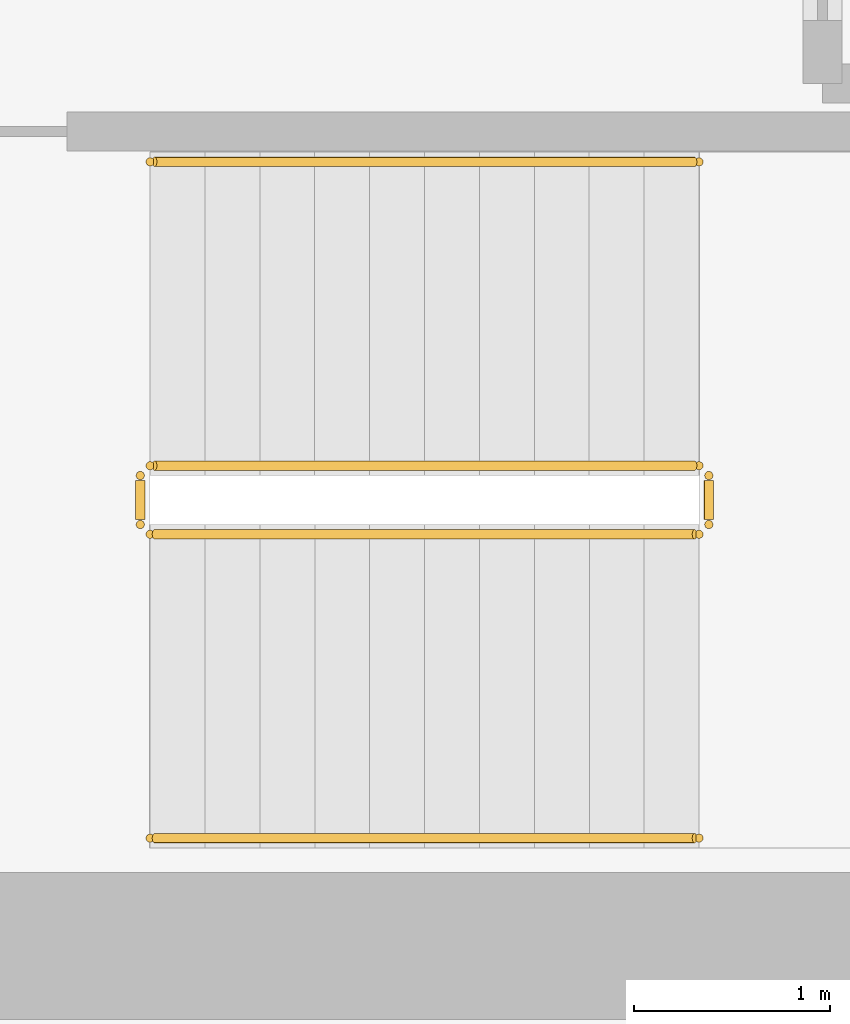
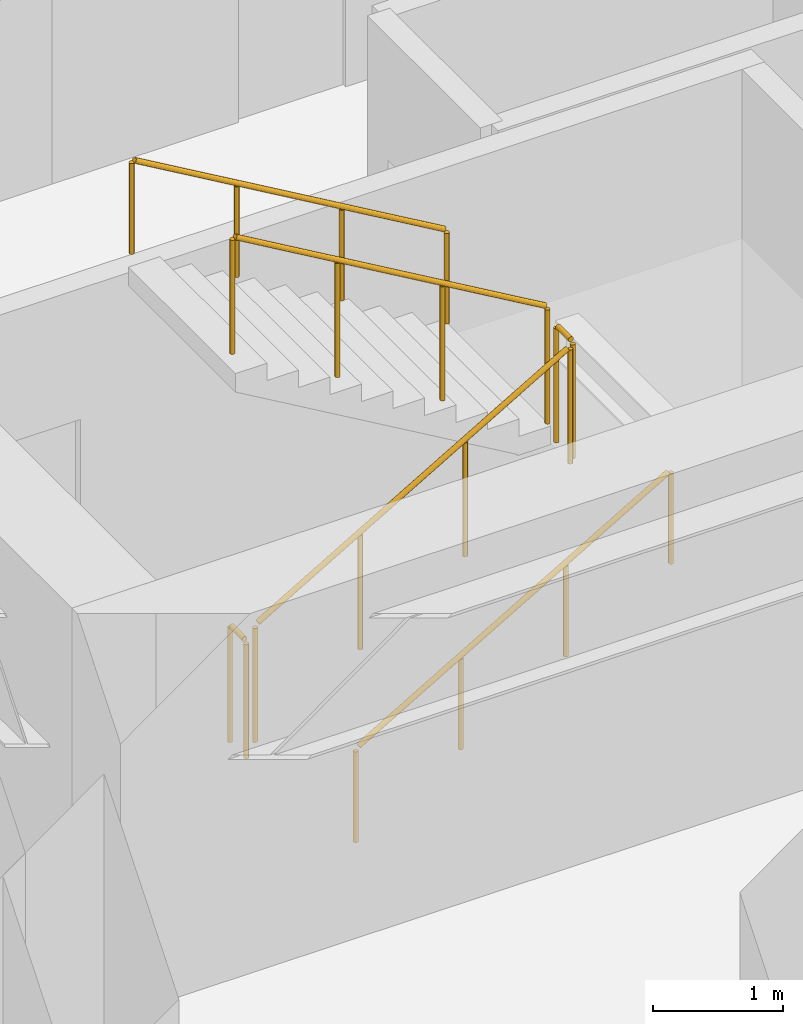
# One storey, part 13 of 13: 6 railings.
"""IFC4 building model written with IfcOpenShell, lengths in metres."""

import ifcopenshell
import ifcopenshell.guid

model = None  # the IFC model being written
_history = None  # IfcOwnerHistory: only IFC2X3 demands one
_inside = {}  # id of a spatial element -> (the spatial element, [elements in it])
_under = {}  # id of a project, library or spatial element -> (it, [spatial elements below it])
_declared = {}  # id of a project -> (the project, [libraries it declares])
_typed = {}  # id of a type object -> (the type object, [elements of that type])
_made_of = {}  # id of a material, layer set ... -> (it, [elements and type objects made of it])


def new_model(schema):
    """Start an empty IFC model of exactly this schema.

    Asked for "IFC4X3", IfcOpenShell would pick the latest addendum, in which some entities
    have other attributes; the version numbers below select the first issue.
    IFC2X3 requires an IfcOwnerHistory on every rooted entity: one is made here for all.
    """
    global model, _history
    if schema == "IFC4X3":
        model = ifcopenshell.file(schema_version=(4, 3, 0, 0))
    else:
        model = ifcopenshell.file(schema=schema)
    _inside.clear()
    _under.clear()
    _declared.clear()
    _typed.clear()
    _made_of.clear()
    _history = None
    if model.schema == "IFC2X3":
        org = make("IfcOrganization", Name="unknown")
        user = make(
            "IfcPersonAndOrganization",
            ThePerson=make("IfcPerson", FamilyName="unknown"),
            TheOrganization=org,
        )
        app = make(
            "IfcApplication",
            ApplicationDeveloper=org,
            Version="unknown",
            ApplicationFullName="unknown",
            ApplicationIdentifier="unknown",
        )
        _history = make(
            "IfcOwnerHistory",
            OwningUser=user,
            OwningApplication=app,
            ChangeAction="ADDED",
            CreationDate=0,
        )
    return model


def make(cls, **values):
    """One entity of the class cls with the attributes given. An attribute that is None is left unset."""
    return model.create_entity(
        cls, **{name: value for name, value in values.items() if value is not None}
    )


def rooted(cls, **values):
    """An entity with a GlobalId (a new one), such as an element, a storey or a relation."""
    return make(cls, GlobalId=ifcopenshell.guid.new(), OwnerHistory=_history, **values)


def si_unit(unit_type, name, prefix=None):
    """IfcSIUnit, for example si_unit("LENGTHUNIT", "METRE", prefix="MILLI")."""
    return make("IfcSIUnit", UnitType=unit_type, Prefix=prefix, Name=name)


def assignment(units):
    """IfcUnitAssignment: the units of a project."""
    return None if units is None else make("IfcUnitAssignment", Units=units)


def point(xyz):
    """IfcCartesianPoint."""
    return None if xyz is None else make("IfcCartesianPoint", Coordinates=xyz)


def direction(xyz):
    """IfcDirection."""
    return None if xyz is None else make("IfcDirection", DirectionRatios=xyz)


def frame(location, z_axis=None, x_axis=None):
    """IfcAxis2Placement3D, a coordinate frame: its origin and axes. An axis left out is left unset."""
    return make(
        "IfcAxis2Placement3D",
        Location=point(location),
        Axis=direction(z_axis),
        RefDirection=direction(x_axis),
    )


def frame_2d(location, x_axis=None):
    """IfcAxis2Placement2D, a coordinate frame in the plane: its origin and x axis."""
    return make(
        "IfcAxis2Placement2D", Location=point(location), RefDirection=direction(x_axis)
    )


def origin():
    """The frame at (0, 0, 0) with its axes left unset."""
    return frame((0.0, 0.0, 0.0))


def origin_2d():
    """The frame at (0, 0) in the plane with its x axis left unset."""
    return frame_2d((0.0, 0.0))


def place(relative_to, where):
    """IfcLocalPlacement: puts the frame where relative to a parent placement (None: the world)."""
    return make(
        "IfcLocalPlacement", PlacementRelTo=relative_to, RelativePlacement=where
    )


def context(
    kind, dimensions, precision=None, world=None, true_north=None, identifier=None
):
    """IfcGeometricRepresentationContext, for example the 3D "Model" context."""
    return make(
        "IfcGeometricRepresentationContext",
        ContextIdentifier=identifier,
        ContextType=kind,
        CoordinateSpaceDimension=dimensions,
        Precision=precision,
        WorldCoordinateSystem=world,
        TrueNorth=true_north,
    )


def subcontext(parent, identifier, kind, view, scale=None):
    """IfcGeometricRepresentationSubContext, for example "Body" below "Model"."""
    return make(
        "IfcGeometricRepresentationSubContext",
        ContextIdentifier=identifier,
        ContextType=kind,
        ParentContext=parent,
        TargetScale=scale,
        TargetView=view,
    )


def project(units=None, contexts=None):
    """IfcProject with its units and contexts."""
    return rooted(
        "IfcProject",
        Name="project",
        RepresentationContexts=contexts,
        UnitsInContext=assignment(units),
    )


def spatial(cls, under=None, at=None, **own):
    """A site, building, storey or space (cls), placed at a placement, below another one or the project."""
    s = rooted(cls, ObjectPlacement=at, **own)
    if under is not None:
        _under.setdefault(under.id(), (under, []))[1].append(s)
    return s


def profile(cls, at=None, kind="AREA", **sizes):
    """A parametric profile (cls). Its sizes go by their IFC names, for example OverallWidth=200.0."""
    return make(cls, ProfileType=kind, Position=at, **sizes)


def circle(**sizes):
    """IfcCircleProfileDef."""
    return profile("IfcCircleProfileDef", **sizes)


def extrude(swept, where, along, depth):
    """IfcExtrudedAreaSolid: the profile swept, set in the frame where, extruded along a direction by depth."""
    return make(
        "IfcExtrudedAreaSolid",
        SweptArea=swept,
        Position=where,
        ExtrudedDirection=direction(along),
        Depth=depth,
    )


def shape(context_of_items, identifier, shape_type, items):
    """IfcShapeRepresentation: the items that make up one representation, for example the "Body"."""
    return make(
        "IfcShapeRepresentation",
        ContextOfItems=context_of_items,
        RepresentationIdentifier=identifier,
        RepresentationType=shape_type,
        Items=items,
    )


def source(mapping_origin, context_of_items, identifier, shape_type, items):
    """IfcRepresentationMap: a shape defined once, which mapped items show again and again."""
    return make(
        "IfcRepresentationMap",
        MappingOrigin=mapping_origin,
        MappedRepresentation=shape(context_of_items, identifier, shape_type, items),
    )


def transform(
    local_origin,
    x_axis=None,
    y_axis=None,
    z_axis=None,
    scale=None,
    scale2=None,
    scale3=None,
    uniform=True,
):
    """IfcCartesianTransformationOperator3D, or its non-uniform kind. x_axis, y_axis, z_axis: its Axis1, 2, 3."""
    if uniform:
        return make(
            "IfcCartesianTransformationOperator3D",
            Axis1=direction(x_axis),
            Axis2=direction(y_axis),
            LocalOrigin=point(local_origin),
            Scale=scale,
            Axis3=direction(z_axis),
        )
    return make(
        "IfcCartesianTransformationOperator3DnonUniform",
        Axis1=direction(x_axis),
        Axis2=direction(y_axis),
        LocalOrigin=point(local_origin),
        Scale=scale,
        Axis3=direction(z_axis),
        Scale2=scale2,
        Scale3=scale3,
    )


def mapped(mapping_source, mapping_target):
    """IfcMappedItem: shows the shape of a source again, moved by a transform."""
    return make(
        "IfcMappedItem", MappingSource=mapping_source, MappingTarget=mapping_target
    )


def material(Name=None, Category=None):
    """IfcMaterial."""
    return make("IfcMaterial", Name=Name, Category=Category)


def layer(
    of_material, thickness, ventilated=None, Name=None, Category=None, Priority=None
):
    """IfcMaterialLayer: one layer of a wall or slab, of a material (None: an air gap)."""
    return make(
        "IfcMaterialLayer",
        Material=of_material,
        LayerThickness=thickness,
        IsVentilated=ventilated,
        Name=Name,
        Category=Category,
        Priority=Priority,
    )


def layer_set(layers, Name=None):
    """IfcMaterialLayerSet."""
    return make("IfcMaterialLayerSet", MaterialLayers=layers, LayerSetName=Name)


def made_of(thing, what):
    """Note that an element or type object is made of a material, layer set ...; save() writes the relation."""
    if what is not None:
        _made_of.setdefault(what.id(), (what, []))[1].append(thing)
    return thing


def type_object(cls, material=None, **own):
    """A type object (cls), such as IfcWallType, which elements share."""
    return made_of(rooted(cls, **own), material)


def element(
    cls,
    number,
    at=None,
    inside=None,
    cuts=None,
    type_object=None,
    material=None,
    context=None,
    identifier="Body",
    shape_type=None,
    held_by="IfcProductDefinitionShape",
    body=None,
    shapes=None,
    **own,
):
    """One element of the class cls, such as IfcWall. Its Tag is "e" and its number.

    at: its placement. inside: the storey or other place that contains it. cuts: it is an
    opening in that element (IfcRelVoidsElement). A single representation is given by context,
    identifier, shape_type and body (its items); several are given by shapes. held_by: the class
    of the entity that holds the representations. save() writes the other relations.
    """
    e = rooted(cls, Tag="e%d" % number, ObjectPlacement=at, **own)
    if body is not None:
        shapes = [shape(context, identifier, shape_type, body)]
    if shapes is not None:
        e.Representation = make(held_by, Representations=shapes)
    if inside is not None:
        _inside.setdefault(inside.id(), (inside, []))[1].append(e)
    if cuts is not None:
        rooted(
            "IfcRelVoidsElement", RelatingBuildingElement=cuts, RelatedOpeningElement=e
        )
    if type_object is not None:
        _typed.setdefault(type_object.id(), (type_object, []))[1].append(e)
    return made_of(e, material)


def aggregate(whole, parts):
    """IfcRelAggregates: a whole, such as a stair, and the parts it consists of."""
    return rooted("IfcRelAggregates", RelatingObject=whole, RelatedObjects=parts)


def save(model, path):
    """Write the relations noted so far, then the file.

    IfcRelAggregates (storeys below a building ...), IfcRelContainedInSpatialStructure (elements
    in a storey), IfcRelDefinesByType, IfcRelAssociatesMaterial and IfcRelDeclares: one each for
    every whole, place, type object, material and project.
    """
    for whole, parts in _under.values():
        aggregate(whole, parts)
    for where, things in _inside.values():
        rooted(
            "IfcRelContainedInSpatialStructure",
            RelatedElements=things,
            RelatingStructure=where,
        )
    for kind, things in _typed.values():
        rooted("IfcRelDefinesByType", RelatedObjects=things, RelatingType=kind)
    for what, things in _made_of.values():
        rooted("IfcRelAssociatesMaterial", RelatedObjects=things, RelatingMaterial=what)
    for by, libraries in _declared.values():
        rooted("IfcRelDeclares", RelatingContext=by, RelatedDefinitions=libraries)
    model.write(path)


model = new_model("IFC4")

# Units and contexts
model_context = context("Model", 3, precision=1e-05, world=origin(), true_north=direction((0.0, 1.0)))
body_context = subcontext(model_context, "Body", "Model", "MODEL_VIEW")
ifc_project = project(units=[si_unit("LENGTHUNIT", "METRE"), si_unit("AREAUNIT", "SQUARE_METRE"), si_unit("VOLUMEUNIT", "CUBIC_METRE"), si_unit("PLANEANGLEUNIT", "RADIAN"), si_unit("MASSUNIT", "GRAM", prefix="KILO")], contexts=[model_context])

# Site, building, storey
site_placement = place(None, origin())
site = spatial("IfcSite", under=ifc_project, at=site_placement, CompositionType="ELEMENT")
building_placement = place(site_placement, origin())
building = spatial("IfcBuilding", under=site, at=building_placement, Name="Kharzan Plaza Tower", CompositionType="ELEMENT")
storey_placement = place(building_placement, frame((0.0, 0.0, 95.39990234375)))
storey = spatial("IfcBuildingStorey", under=building, at=storey_placement, Name="L25", CompositionType="ELEMENT", Elevation=95.39990234375)

# Railings
ifc_material_1 = material(Name="Painted Galvanized Architectural Steel", Category="steel")
ifc_layer_1 = layer(ifc_material_1, 0.074951171875)
ifc_layer_set_1 = layer_set([ifc_layer_1], Name="Painted Galvanized Architectural Steel")
railing_type_1 = type_object("IfcRailingType", Name="RL-GUARD-1120", PredefinedType="BALUSTRADE", material=ifc_layer_set_1)
shared_shape_1 = source(origin(), body_context, "Body", "SweptSolid", [
    extrude(circle(Radius=0.02392578125, at=origin_2d()), frame((0.0, 0.0263671875, 1.09619140625), z_axis=(0.0, 1.0, 0.0), x_axis=(-1.0, 0.0, 0.0)), (0.0, 0.0, 1.0), 0.197021484375),
    extrude(circle(Radius=0.02099609375, at=origin_2d()), origin(), (0.0, 0.0, 1.0), 1.072021484375),
    extrude(circle(Radius=0.02099609375, at=origin_2d()), frame((0.0, 0.25, 0.0)), (0.0, 0.0, 1.0), 1.072021484375),
])
for number, where, name in (
    (1, (41.10009765625, 6.64990234375, 1.800048828125), "L25 ST-3 stair guard 2"),
    (2, (38.199951171875, 6.64990234375, 0.0), "L25 ST-3 stair guard 4"),
):
    element("IfcRailing", number, at=place(storey_placement, frame(where)), inside=storey, type_object=railing_type_1, Name=name, PredefinedType="BALUSTRADE", context=body_context, shape_type="MappedRepresentation", body=[
        mapped(shared_shape_1, transform((0.0, 0.0, 0.0), x_axis=(1.0, 0.0, 0.0), y_axis=(0.0, 1.0, 0.0), z_axis=(0.0, 0.0, 1.0))),
    ])
shared_shape_2 = source(origin(), body_context, "Body", "SweptSolid", [
    extrude(circle(Radius=0.02392578125, at=origin_2d()), frame((-0.02294921875, 0.0, 1.109375), z_axis=(-0.863360870873, 0.0, 0.504586966384), x_axis=(0.0, -1.0, 0.0)), (0.0, 0.0, 1.0), 3.190185546875),
    extrude(circle(Radius=0.02099609375, at=origin_2d()), origin(), (0.0, 0.0, 1.0), 1.072021484375),
    extrude(circle(Radius=0.02099609375, at=origin_2d()), frame((-0.933349609375, 0.0, 0.54541015625)), (0.0, 0.0, 1.0), 1.072021484375),
    extrude(circle(Radius=0.02099609375, at=origin_2d()), frame((-1.86669921875, 0.0, 1.091064453125)), (0.0, 0.0, 1.0), 1.072021484375),
    extrude(circle(Radius=0.02099609375, at=origin_2d()), frame((-2.800048828125, 0.0, 1.636474609375)), (0.0, 0.0, 1.0), 1.072021484375),
])
railing_1_placement = place(storey_placement, frame((41.050048828125, 6.949951171875, 1.963623046875)))
element("IfcRailing", 3, at=railing_1_placement, inside=storey, type_object=railing_type_1, Name="L25 ST-3 stair guard 3", PredefinedType="BALUSTRADE", context=body_context, shape_type="MappedRepresentation", body=[
    mapped(shared_shape_2, transform((0.0, 0.0, 0.0), x_axis=(1.0, 0.0, 0.0), y_axis=(0.0, 1.0, 0.0), z_axis=(0.0, 0.0, 1.0))),
])
ifc_material_2 = material(Name="Brushed Stainless Steel", Category="steel")
ifc_layer_2 = layer(ifc_material_2, 0.050048828125)
ifc_layer_set_2 = layer_set([ifc_layer_2], Name="Brushed Stainless Steel")
railing_type_2 = type_object("IfcRailingType", Name="RL-STAIR-HR920", PredefinedType="HANDRAIL", material=ifc_layer_set_2)
shared_shape_3 = source(origin(), body_context, "Body", "SweptSolid", [
    extrude(circle(Radius=0.02392578125, at=origin_2d()), frame((-0.02294921875, 0.0, 0.88916015625), z_axis=(-0.863360870873, 0.0, 0.504586966384), x_axis=(0.0, -1.0, 0.0)), (0.0, 0.0, 1.0), 3.190185546875),
    extrude(circle(Radius=0.02099609375, at=origin_2d()), origin(), (0.0, 0.0, 1.0), 0.851806640625),
    extrude(circle(Radius=0.02099609375, at=origin_2d()), frame((-0.933349609375, 0.0, 0.54541015625)), (0.0, 0.0, 1.0), 0.851806640625),
    extrude(circle(Radius=0.02099609375, at=origin_2d()), frame((-1.86669921875, 0.0, 1.091064453125)), (0.0, 0.0, 1.0), 0.851806640625),
    extrude(circle(Radius=0.02099609375, at=origin_2d()), frame((-2.800048828125, 0.0, 1.636474609375)), (0.0, 0.0, 1.0), 0.851806640625),
])
railing_2_placement = place(storey_placement, frame((41.050048828125, 8.5, 1.963623046875)))
element("IfcRailing", 4, at=railing_2_placement, inside=storey, type_object=railing_type_2, Name="L25 ST-3 stair handrail 2", PredefinedType="HANDRAIL", context=body_context, shape_type="MappedRepresentation", body=[
    mapped(shared_shape_3, transform((0.0, 0.0, 0.0), x_axis=(1.0, 0.0, 0.0), y_axis=(0.0, 1.0, 0.0), z_axis=(0.0, 0.0, 1.0))),
])
shared_shape_4 = source(origin(), body_context, "Body", "SweptSolid", [
    extrude(circle(Radius=0.02392578125, at=origin_2d()), frame((0.02294921875, 0.0, 1.109375), z_axis=(0.863393664356, 0.0, 0.504530851732), x_axis=(0.0, 1.0, 0.0)), (0.0, 0.0, 1.0), 3.190185546875),
    extrude(circle(Radius=0.02099609375, at=origin_2d()), origin(), (0.0, 0.0, 1.0), 1.072021484375),
    extrude(circle(Radius=0.02099609375, at=origin_2d()), frame((0.933349609375, 0.0, 0.54541015625)), (0.0, 0.0, 1.0), 1.072021484375),
    extrude(circle(Radius=0.02099609375, at=origin_2d()), frame((1.86669921875, 0.0, 1.0908203125)), (0.0, 0.0, 1.0), 1.072021484375),
    extrude(circle(Radius=0.02099609375, at=origin_2d()), frame((2.800048828125, 0.0, 1.63623046875)), (0.0, 0.0, 1.0), 1.072021484375),
])
railing_3_placement = place(storey_placement, frame((38.25, 6.60009765625, 0.163818359375)))
element("IfcRailing", 5, at=railing_3_placement, inside=storey, type_object=railing_type_1, Name="L25 ST-3 stair guard 1", PredefinedType="BALUSTRADE", context=body_context, shape_type="MappedRepresentation", body=[
    mapped(shared_shape_4, transform((0.0, 0.0, 0.0), x_axis=(1.0, 0.0, 0.0), y_axis=(0.0, 1.0, 0.0), z_axis=(0.0, 0.0, 1.0))),
])
shared_shape_5 = source(origin(), body_context, "Body", "SweptSolid", [
    extrude(circle(Radius=0.02392578125, at=origin_2d()), frame((0.02294921875, 0.0, 0.88916015625), z_axis=(0.863393664356, 0.0, 0.504530851732), x_axis=(0.0, 1.0, 0.0)), (0.0, 0.0, 1.0), 3.190185546875),
    extrude(circle(Radius=0.02099609375, at=origin_2d()), origin(), (0.0, 0.0, 1.0), 0.851806640625),
    extrude(circle(Radius=0.02099609375, at=origin_2d()), frame((0.933349609375, 0.0, 0.54541015625)), (0.0, 0.0, 1.0), 0.851806640625),
    extrude(circle(Radius=0.02099609375, at=origin_2d()), frame((1.86669921875, 0.0, 1.0908203125)), (0.0, 0.0, 1.0), 0.851806640625),
    extrude(circle(Radius=0.02099609375, at=origin_2d()), frame((2.800048828125, 0.0, 1.63623046875)), (0.0, 0.0, 1.0), 0.851806640625),
])
railing_4_placement = place(storey_placement, frame((38.25, 5.050048828125, 0.163818359375)))
element("IfcRailing", 6, at=railing_4_placement, inside=storey, type_object=railing_type_2, Name="L25 ST-3 stair handrail 1", PredefinedType="HANDRAIL", context=body_context, shape_type="MappedRepresentation", body=[
    mapped(shared_shape_5, transform((0.0, 0.0, 0.0), x_axis=(1.0, 0.0, 0.0), y_axis=(0.0, 1.0, 0.0), z_axis=(0.0, 0.0, 1.0))),
])

save(model, "model.ifc")
